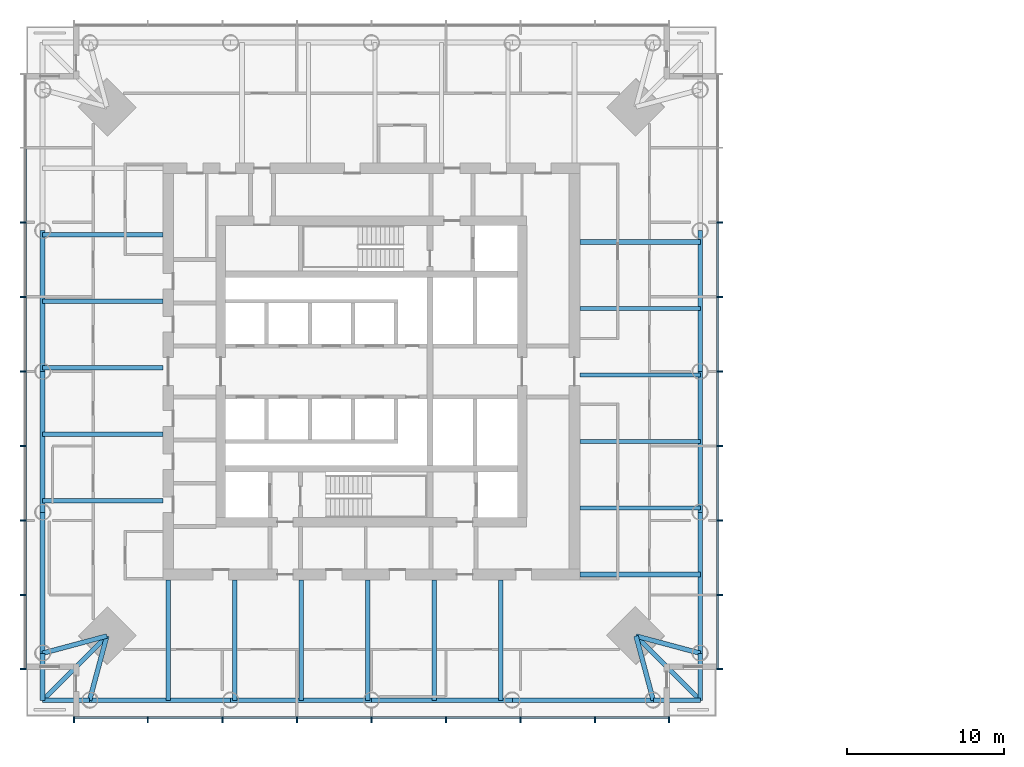
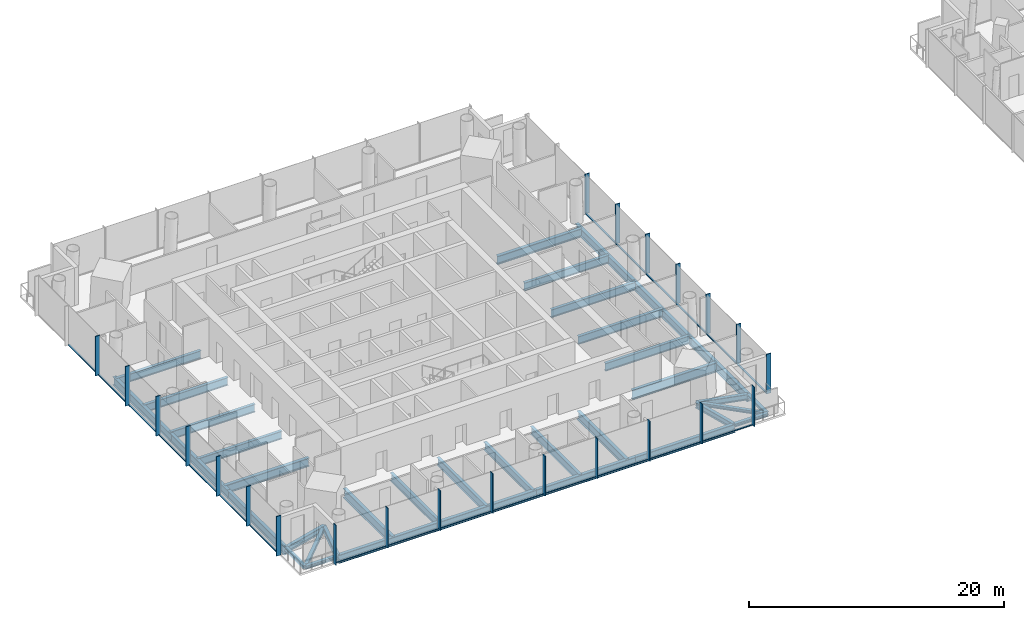
# One storey, part 2 of 19: 44 members, 37 beams, 3 elements without a shape of their own.
"""IFC4 building model written with IfcOpenShell, lengths in metres."""

from ifc_helpers import new_model, si_unit, direction, frame, origin, origin_2d, place, context, subcontext, project, spatial, rectangle, i_section, extrude, material, material_profile, profile_set, type_object, element, aggregate, save


model = new_model("IFC4")

# Units and contexts
model_context = context("Model", 3, precision=1e-05, world=origin(), true_north=direction((0.0, 1.0)))
body_context = subcontext(model_context, "Body", "Model", "MODEL_VIEW")
ifc_project = project(units=[si_unit("LENGTHUNIT", "METRE"), si_unit("AREAUNIT", "SQUARE_METRE"), si_unit("VOLUMEUNIT", "CUBIC_METRE"), si_unit("PLANEANGLEUNIT", "RADIAN"), si_unit("MASSUNIT", "GRAM", prefix="KILO")], contexts=[model_context])

# Site, building, storey
site_placement = place(None, origin())
site = spatial("IfcSite", under=ifc_project, at=site_placement, CompositionType="ELEMENT")
building_placement = place(site_placement, origin())
building = spatial("IfcBuilding", under=site, at=building_placement, Name="Ostroluk Exchange", CompositionType="ELEMENT")
storey_placement = place(building_placement, frame((0.0, 0.0, 116.0)))
storey = spatial("IfcBuildingStorey", under=building, at=storey_placement, Name="L29", CompositionType="ELEMENT", Elevation=116.0)

# Beams
ifc_material_1 = material(Name="Steel S355", Category="steel")
ifc_material_profile_1 = material_profile(ifc_material_1, i_section(OverallWidth=0.300048828125, OverallDepth=0.300048828125, WebThickness=0.010986328125, FlangeThickness=0.01904296875, FilletRadius=0.027099609375, at=origin_2d()), Name="HEB 300")
ifc_profile_set_1 = profile_set([ifc_material_profile_1], Name="Steel S355")
beam_type_1 = type_object("IfcBeamType", Name="Balcony beam HEB 300", PredefinedType="BEAM", material=ifc_profile_set_1)
for number, where, z_axis, x_axis, name in (
    (1, (24.03564453125, 28.03564453125, -0.330078125), (0.0, -1.0, 0.0), (1.0, 0.0, 0.0), "T1 west balcony beam a"),
    (2, (27.03564453125, 25.03564453125, -0.330078125), (-1.0, 0.0, 0.0), (0.0, -1.0, 0.0), "T1 west balcony beam b"),
):
    element("IfcBeam", number, at=place(storey_placement, frame(where, z_axis=z_axis, x_axis=x_axis)), inside=storey, type_object=beam_type_1, Name=name, PredefinedType="BEAM", context=body_context, shape_type="SweptSolid", body=[
        extrude(i_section(OverallWidth=0.300048828125, OverallDepth=0.300048828125, WebThickness=0.010986328125, FlangeThickness=0.01904296875, FilletRadius=0.027099609375, at=origin_2d()), origin(), (0.0, 0.0, 1.0), 3.0),
    ])
beam_1_placement = place(storey_placement, frame((28.1357421875, 29.1357421875, -0.330078125), z_axis=(-0.707106781187, -0.707106781187, 0.0), x_axis=(0.707106781187, -0.707106781187, 0.0)))
element("IfcBeam", 3, at=beam_1_placement, inside=storey, type_object=beam_type_1, Name="T1 west balcony beam c", PredefinedType="BEAM", context=body_context, shape_type="SweptSolid", body=[
    extrude(i_section(OverallWidth=0.300048828125, OverallDepth=0.300048828125, WebThickness=0.010986328125, FlangeThickness=0.01904296875, FilletRadius=0.027099609375, at=origin_2d()), origin(), (0.0, 0.0, 1.0), 5.79833984375),
])
for number, where, z_axis, x_axis, name in (
    (4, (62.96435546875, 25.03564453125, -0.330078125), (1.0, 0.0, 0.0), (0.0, 1.0, 0.0), "T1 south balcony beam a"),
    (5, (65.96435546875, 28.03564453125, -0.330078125), (0.0, -1.0, 0.0), (1.0, 0.0, 0.0), "T1 south balcony beam b"),
):
    element("IfcBeam", number, at=place(storey_placement, frame(where, z_axis=z_axis, x_axis=x_axis)), inside=storey, type_object=beam_type_1, Name=name, PredefinedType="BEAM", context=body_context, shape_type="SweptSolid", body=[
        extrude(i_section(OverallWidth=0.300048828125, OverallDepth=0.300048828125, WebThickness=0.010986328125, FlangeThickness=0.01904296875, FilletRadius=0.027099609375, at=origin_2d()), origin(), (0.0, 0.0, 1.0), 3.0),
    ])
beam_2_placement = place(storey_placement, frame((61.8642578125, 29.1357421875, -0.330078125), z_axis=(0.707106781187, -0.707106781187, 0.0), x_axis=(0.707106781187, 0.707106781187, 0.0)))
element("IfcBeam", 6, at=beam_2_placement, inside=storey, type_object=beam_type_1, Name="T1 south balcony beam c", PredefinedType="BEAM", context=body_context, shape_type="SweptSolid", body=[
    extrude(i_section(OverallWidth=0.300048828125, OverallDepth=0.300048828125, WebThickness=0.010986328125, FlangeThickness=0.01904296875, FilletRadius=0.027099609375, at=origin_2d()), origin(), (0.0, 0.0, 1.0), 5.79833984375),
])
ifc_material_2 = material(Name="Steel S355", Category="steel")
ifc_material_profile_2 = material_profile(ifc_material_2, i_section(OverallWidth=0.300048828125, OverallDepth=0.550048828125, WebThickness=0.014892578125, FlangeThickness=0.029052734375, FilletRadius=0.027099609375, at=origin_2d()), Name="HEB 550")
ifc_profile_set_2 = profile_set([ifc_material_profile_2], Name="Steel S355")
beam_type_2 = type_object("IfcBeamType", Name="Corner edge beam HEB 550", PredefinedType="SPANDREL", material=ifc_profile_set_2)
for number, where, z_axis, x_axis, name in (
    (7, (28.1357421875, 29.1357421875, -0.455078125), (-0.965838624319, -0.259144268261, 0.0), (0.259144268261, -0.965838624319, 0.0), "T1 west corner edge beam a"),
    (8, (28.1357421875, 29.1357421875, -0.455078125), (-0.259144268261, -0.965838624319, 0.0), (0.965838624319, -0.259144268261, 0.0), "T1 west corner edge beam b"),
    (9, (61.8642578125, 29.1357421875, -0.455078125), (0.259144268261, -0.965838624319, 0.0), (0.965838624319, 0.259144268261, 0.0), "T1 south corner edge beam a"),
    (10, (61.8642578125, 29.1357421875, -0.455078125), (0.965838624319, -0.259144268261, 0.0), (0.259144268261, 0.965838624319, 0.0), "T1 south corner edge beam b"),
):
    element("IfcBeam", number, at=place(storey_placement, frame(where, z_axis=z_axis, x_axis=x_axis)), inside=storey, type_object=beam_type_2, Name=name, PredefinedType="SPANDREL", context=body_context, shape_type="SweptSolid", body=[
        extrude(i_section(OverallWidth=0.300048828125, OverallDepth=0.550048828125, WebThickness=0.014892578125, FlangeThickness=0.029052734375, FilletRadius=0.027099609375, at=origin_2d()), origin(), (0.0, 0.0, 1.0), 4.2451171875),
    ])
ifc_material_3 = material(Name="Steel S355", Category="steel")
ifc_material_profile_3 = material_profile(ifc_material_3, i_section(OverallWidth=0.302978515625, OverallDepth=0.81396484375, WebThickness=0.02099609375, FlangeThickness=0.0400390625, FilletRadius=0.030029296875, at=origin_2d()), Name="HEM 800")
ifc_profile_set_3 = profile_set([ifc_material_profile_3], Name="Steel S355")
beam_type_3 = type_object("IfcBeamType", Name="Floor beam HEM 800", PredefinedType="BEAM", material=ifc_profile_set_3)
for number, where, z_axis, x_axis, name in (
    (11, (58.300048828125, 54.246337890625, -0.5869140625), (1.0, 0.0, 0.0), (0.0, 1.0, 0.0), "T1 east floor beam 5"),
    (12, (31.699951171875, 37.753662109375, -0.5869140625), (-1.0, 0.0, 0.0), (0.0, -1.0, 0.0), "T1 west floor beam 5"),
    (13, (53.246337890625, 32.699951171875, -0.5869140625), (0.0, -1.0, 0.0), (1.0, 0.0, 0.0), "T1 south floor beam 5"),
):
    element("IfcBeam", number, at=place(storey_placement, frame(where, z_axis=z_axis, x_axis=x_axis)), inside=storey, type_object=beam_type_3, Name=name, PredefinedType="BEAM", context=body_context, shape_type="SweptSolid", body=[
        extrude(i_section(OverallWidth=0.302978515625, OverallDepth=0.81396484375, WebThickness=0.02099609375, FlangeThickness=0.0400390625, FilletRadius=0.030029296875, at=origin_2d()), origin(), (0.0, 0.0, 1.0), 7.664306640625),
    ])
ifc_material_4 = material(Name="Steel S355", Category="steel")
ifc_material_profile_4 = material_profile(ifc_material_4, i_section(OverallWidth=0.26708984375, OverallDepth=0.761962890625, WebThickness=0.014404296875, FlangeThickness=0.021484375, FilletRadius=0.01708984375, at=origin_2d()), Name="IPE 750x173")
ifc_profile_set_4 = profile_set([ifc_material_profile_4], Name="Steel S355")
beam_type_4 = type_object("IfcBeamType", Name="Floor beam IPE 750x173", PredefinedType="BEAM", material=ifc_profile_set_4)
for number, where, z_axis, x_axis, name in (
    (14, (58.300048828125, 37.289306640625, -0.56103515625), (1.0, 0.0, 0.0), (0.0, 1.0, 0.0), "T1 east floor beam 1"),
    (15, (58.300048828125, 41.528564453125, -0.56103515625), (1.0, 0.0, 0.0), (0.0, 1.0, 0.0), "T1 east floor beam 2"),
    (16, (58.300048828125, 45.767822265625, -0.56103515625), (1.0, 0.0, 0.0), (0.0, 1.0, 0.0), "T1 east floor beam 3"),
    (17, (58.300048828125, 50.007080078125, -0.56103515625), (1.0, 0.0, 0.0), (0.0, 1.0, 0.0), "T1 east floor beam 4"),
    (18, (31.699951171875, 54.710693359375, -0.56103515625), (-1.0, 0.0, 0.0), (0.0, -1.0, 0.0), "T1 west floor beam 1"),
    (19, (31.699951171875, 50.471435546875, -0.56103515625), (-1.0, 0.0, 0.0), (0.0, -1.0, 0.0), "T1 west floor beam 2"),
    (20, (31.699951171875, 46.232177734375, -0.56103515625), (-1.0, 0.0, 0.0), (0.0, -1.0, 0.0), "T1 west floor beam 3"),
    (21, (31.699951171875, 41.992919921875, -0.56103515625), (-1.0, 0.0, 0.0), (0.0, -1.0, 0.0), "T1 west floor beam 4"),
    (22, (36.289306640625, 32.699951171875, -0.56103515625), (0.0, -1.0, 0.0), (1.0, 0.0, 0.0), "T1 south floor beam 1"),
    (23, (40.528564453125, 32.699951171875, -0.56103515625), (0.0, -1.0, 0.0), (1.0, 0.0, 0.0), "T1 south floor beam 2"),
    (24, (44.767822265625, 32.699951171875, -0.56103515625), (0.0, -1.0, 0.0), (1.0, 0.0, 0.0), "T1 south floor beam 3"),
    (25, (49.007080078125, 32.699951171875, -0.56103515625), (0.0, -1.0, 0.0), (1.0, 0.0, 0.0), "T1 south floor beam 4"),
):
    element("IfcBeam", number, at=place(storey_placement, frame(where, z_axis=z_axis, x_axis=x_axis)), inside=storey, type_object=beam_type_4, Name=name, PredefinedType="BEAM", context=body_context, shape_type="SweptSolid", body=[
        extrude(i_section(OverallWidth=0.26708984375, OverallDepth=0.761962890625, WebThickness=0.014404296875, FlangeThickness=0.021484375, FilletRadius=0.01708984375, at=origin_2d()), origin(), (0.0, 0.0, 1.0), 7.664306640625),
    ])
ifc_material_5 = material(Name="Steel S355", Category="steel")
ifc_material_profile_5 = material_profile(ifc_material_5, i_section(OverallWidth=0.300048828125, OverallDepth=0.89990234375, WebThickness=0.0185546875, FlangeThickness=0.034912109375, FilletRadius=0.030029296875, at=origin_2d()), Name="HEB 900")
ifc_profile_set_5 = profile_set([ifc_material_profile_5], Name="Steel S355")
beam_type_5 = type_object("IfcBeamType", Name="Girder HEB 900", PredefinedType="BEAM", material=ifc_profile_set_5)
for number, where, z_axis, x_axis, name in (
    (26, (32.050048828125, 32.699951171875, -0.6298828125), (0.0, -1.0, 0.0), (1.0, 0.0, 0.0), "T1 west girder"),
    (27, (58.300048828125, 33.050048828125, -0.6298828125), (1.0, 0.0, 0.0), (0.0, 1.0, 0.0), "T1 south girder"),
):
    element("IfcBeam", number, at=place(storey_placement, frame(where, z_axis=z_axis, x_axis=x_axis)), inside=storey, type_object=beam_type_5, Name=name, PredefinedType="BEAM", context=body_context, shape_type="SweptSolid", body=[
        extrude(i_section(OverallWidth=0.300048828125, OverallDepth=0.89990234375, WebThickness=0.0185546875, FlangeThickness=0.034912109375, FilletRadius=0.030029296875, at=origin_2d()), origin(), (0.0, 0.0, 1.0), 7.664306640625),
    ])
ifc_material_6 = material(Name="Steel S355", Category="steel")
ifc_material_profile_6 = material_profile(ifc_material_6, i_section(OverallWidth=0.300048828125, OverallDepth=0.800048828125, WebThickness=0.017578125, FlangeThickness=0.032958984375, FilletRadius=0.030029296875, at=origin_2d()), Name="HEB 800")
ifc_profile_set_6 = profile_set([ifc_material_profile_6], Name="Steel S355")
beam_type_6 = type_object("IfcBeamType", Name="Moment-connected edge beam HEB 800", PredefinedType="SPANDREL", material=ifc_profile_set_6)
for number, where, z_axis, x_axis, name in (
    (28, (65.96435546875, 28.03564453125, -0.580078125), (0.0, 1.0, 0.0), (-1.0, 0.0, 0.0), "T1 east edge beam 1"),
    (29, (65.96435546875, 37.017822265625, -0.580078125), (0.0, 1.0, 0.0), (-1.0, 0.0, 0.0), "T1 east edge beam 2"),
    (30, (65.96435546875, 46.0, -0.580078125), (0.0, 1.0, 0.0), (-1.0, 0.0, 0.0), "T1 east edge beam 3"),
    (31, (24.03564453125, 54.982177734375, -0.580078125), (0.0, -1.0, 0.0), (1.0, 0.0, 0.0), "T1 west edge beam 2"),
    (32, (24.03564453125, 46.0, -0.580078125), (0.0, -1.0, 0.0), (1.0, 0.0, 0.0), "T1 west edge beam 3"),
    (33, (24.03564453125, 37.017822265625, -0.580078125), (0.0, -1.0, 0.0), (1.0, 0.0, 0.0), "T1 west edge beam 4"),
    (34, (27.03564453125, 25.03564453125, -0.580078125), (1.0, 0.0, 0.0), (0.0, 1.0, 0.0), "T1 south edge beam 1"),
    (35, (36.017822265625, 25.03564453125, -0.580078125), (1.0, 0.0, 0.0), (0.0, 1.0, 0.0), "T1 south edge beam 2"),
    (36, (45.0, 25.03564453125, -0.580078125), (1.0, 0.0, 0.0), (0.0, 1.0, 0.0), "T1 south edge beam 3"),
    (37, (53.982177734375, 25.03564453125, -0.580078125), (1.0, 0.0, 0.0), (0.0, 1.0, 0.0), "T1 south edge beam 4"),
):
    element("IfcBeam", number, at=place(storey_placement, frame(where, z_axis=z_axis, x_axis=x_axis)), inside=storey, type_object=beam_type_6, Name=name, PredefinedType="SPANDREL", context=body_context, shape_type="SweptSolid", body=[
        extrude(i_section(OverallWidth=0.300048828125, OverallDepth=0.800048828125, WebThickness=0.017578125, FlangeThickness=0.032958984375, FilletRadius=0.030029296875, at=origin_2d()), origin(), (0.0, 0.0, 1.0), 8.982177734375),
    ])

# Curtain wall, members
ifc_material_7 = material(Name="Laminated clear glass", Category="glass")
curtain_wall_type = type_object("IfcCurtainWallType", Name="Office tower facade", PredefinedType="USERDEFINED", material=ifc_material_7)
curtain_wall_1_placement = place(storey_placement, origin())
curtain_wall_1 = element("IfcCurtainWall", 38, at=curtain_wall_1_placement, inside=storey, type_object=curtain_wall_type, Name="Office tower south facade L29", ObjectType="UNITISED CURTAIN WALL", PredefinedType="USERDEFINED")
ifc_material_8 = material(Name="Aluminium mullion", Category="aluminium")
ifc_material_profile_7 = material_profile(ifc_material_8, rectangle(XDim=0.14990234375, YDim=0.080078125, at=origin_2d()), Name="Sill transom 80 x 150")
ifc_profile_set_7 = profile_set([ifc_material_profile_7], Name="Aluminium mullion")
member_type_1 = type_object("IfcMemberType", Name="Sill transom 80 x 150", PredefinedType="USERDEFINED", material=ifc_profile_set_7)
member_1_placement = place(storey_placement, frame((26.080078125, 23.925048828125, 0.0400390625), z_axis=(1.0, 0.0, 0.0), x_axis=(0.0, 1.0, 0.0)))
member_1 = element("IfcMember", 39, at=member_1_placement, type_object=member_type_1, Name="CW-O1 transom 1.1", ObjectType="TRANSOM", PredefinedType="USERDEFINED", context=body_context, shape_type="SweptSolid", body=[
    extrude(rectangle(XDim=0.14990234375, YDim=0.080078125, at=origin_2d()), origin(), (0.0, 0.0, 1.0), 4.6298828125),
])
member_2_placement = place(storey_placement, frame((30.7900390625, 23.925048828125, 0.0400390625), z_axis=(1.0, 0.0, 0.0), x_axis=(0.0, 1.0, 0.0)))
member_2 = element("IfcMember", 40, at=member_2_placement, type_object=member_type_1, Name="CW-O1 transom 2.1", ObjectType="TRANSOM", PredefinedType="USERDEFINED", context=body_context, shape_type="SweptSolid", body=[
    extrude(rectangle(XDim=0.14990234375, YDim=0.080078125, at=origin_2d()), origin(), (0.0, 0.0, 1.0), 4.669921875),
])
member_3_placement = place(storey_placement, frame((35.5400390625, 23.925048828125, 0.0400390625), z_axis=(1.0, 0.0, 0.0), x_axis=(0.0, 1.0, 0.0)))
member_3 = element("IfcMember", 41, at=member_3_placement, type_object=member_type_1, Name="CW-O1 transom 3.1", ObjectType="TRANSOM", PredefinedType="USERDEFINED", context=body_context, shape_type="SweptSolid", body=[
    extrude(rectangle(XDim=0.14990234375, YDim=0.080078125, at=origin_2d()), origin(), (0.0, 0.0, 1.0), 4.669921875),
])
member_4_placement = place(storey_placement, frame((40.2900390625, 23.925048828125, 0.0400390625), z_axis=(1.0, 0.0, 0.0), x_axis=(0.0, 1.0, 0.0)))
member_4 = element("IfcMember", 42, at=member_4_placement, type_object=member_type_1, Name="CW-O1 transom 4.1", ObjectType="TRANSOM", PredefinedType="USERDEFINED", context=body_context, shape_type="SweptSolid", body=[
    extrude(rectangle(XDim=0.14990234375, YDim=0.080078125, at=origin_2d()), origin(), (0.0, 0.0, 1.0), 4.669921875),
])
member_5_placement = place(storey_placement, frame((45.0400390625, 23.925048828125, 0.0400390625), z_axis=(1.0, 0.0, 0.0), x_axis=(0.0, 1.0, 0.0)))
member_5 = element("IfcMember", 43, at=member_5_placement, type_object=member_type_1, Name="CW-O1 transom 5.1", ObjectType="TRANSOM", PredefinedType="USERDEFINED", context=body_context, shape_type="SweptSolid", body=[
    extrude(rectangle(XDim=0.14990234375, YDim=0.080078125, at=origin_2d()), origin(), (0.0, 0.0, 1.0), 4.669921875),
])
member_6_placement = place(storey_placement, frame((49.7900390625, 23.925048828125, 0.0400390625), z_axis=(1.0, 0.0, 0.0), x_axis=(0.0, 1.0, 0.0)))
member_6 = element("IfcMember", 44, at=member_6_placement, type_object=member_type_1, Name="CW-O1 transom 6.1", ObjectType="TRANSOM", PredefinedType="USERDEFINED", context=body_context, shape_type="SweptSolid", body=[
    extrude(rectangle(XDim=0.14990234375, YDim=0.080078125, at=origin_2d()), origin(), (0.0, 0.0, 1.0), 4.669921875),
])
member_7_placement = place(storey_placement, frame((54.5400390625, 23.925048828125, 0.0400390625), z_axis=(1.0, 0.0, 0.0), x_axis=(0.0, 1.0, 0.0)))
member_7 = element("IfcMember", 45, at=member_7_placement, type_object=member_type_1, Name="CW-O1 transom 7.1", ObjectType="TRANSOM", PredefinedType="USERDEFINED", context=body_context, shape_type="SweptSolid", body=[
    extrude(rectangle(XDim=0.14990234375, YDim=0.080078125, at=origin_2d()), origin(), (0.0, 0.0, 1.0), 4.669921875),
])
member_8_placement = place(storey_placement, frame((59.2900390625, 23.925048828125, 0.0400390625), z_axis=(1.0, 0.0, 0.0), x_axis=(0.0, 1.0, 0.0)))
member_8 = element("IfcMember", 46, at=member_8_placement, type_object=member_type_1, Name="CW-O1 transom 8.1", ObjectType="TRANSOM", PredefinedType="USERDEFINED", context=body_context, shape_type="SweptSolid", body=[
    extrude(rectangle(XDim=0.14990234375, YDim=0.080078125, at=origin_2d()), origin(), (0.0, 0.0, 1.0), 4.6298828125),
])

curtain_wall_2_placement = place(storey_placement, origin())
curtain_wall_2 = element("IfcCurtainWall", 47, at=curtain_wall_2_placement, inside=storey, type_object=curtain_wall_type, Name="Office tower east facade L29", ObjectType="UNITISED CURTAIN WALL", PredefinedType="USERDEFINED")
member_9_placement = place(storey_placement, frame((67.074951171875, 27.080078125, 0.0400390625), z_axis=(0.0, 1.0, 0.0), x_axis=(-1.0, 0.0, 0.0)))
member_9 = element("IfcMember", 48, at=member_9_placement, type_object=member_type_1, Name="CW-O1 transom 1.1", ObjectType="TRANSOM", PredefinedType="USERDEFINED", context=body_context, shape_type="SweptSolid", body=[
    extrude(rectangle(XDim=0.14990234375, YDim=0.080078125, at=origin_2d()), origin(), (0.0, 0.0, 1.0), 4.6298828125),
])
member_10_placement = place(storey_placement, frame((67.074951171875, 31.7900390625, 0.0400390625), z_axis=(0.0, 1.0, 0.0), x_axis=(-1.0, 0.0, 0.0)))
member_10 = element("IfcMember", 49, at=member_10_placement, type_object=member_type_1, Name="CW-O1 transom 2.1", ObjectType="TRANSOM", PredefinedType="USERDEFINED", context=body_context, shape_type="SweptSolid", body=[
    extrude(rectangle(XDim=0.14990234375, YDim=0.080078125, at=origin_2d()), origin(), (0.0, 0.0, 1.0), 4.669921875),
])
member_11_placement = place(storey_placement, frame((67.074951171875, 36.5400390625, 0.0400390625), z_axis=(0.0, 1.0, 0.0), x_axis=(-1.0, 0.0, 0.0)))
member_11 = element("IfcMember", 50, at=member_11_placement, type_object=member_type_1, Name="CW-O1 transom 3.1", ObjectType="TRANSOM", PredefinedType="USERDEFINED", context=body_context, shape_type="SweptSolid", body=[
    extrude(rectangle(XDim=0.14990234375, YDim=0.080078125, at=origin_2d()), origin(), (0.0, 0.0, 1.0), 4.669921875),
])
member_12_placement = place(storey_placement, frame((67.074951171875, 41.2900390625, 0.0400390625), z_axis=(0.0, 1.0, 0.0), x_axis=(-1.0, 0.0, 0.0)))
member_12 = element("IfcMember", 51, at=member_12_placement, type_object=member_type_1, Name="CW-O1 transom 4.1", ObjectType="TRANSOM", PredefinedType="USERDEFINED", context=body_context, shape_type="SweptSolid", body=[
    extrude(rectangle(XDim=0.14990234375, YDim=0.080078125, at=origin_2d()), origin(), (0.0, 0.0, 1.0), 4.669921875),
])
member_13_placement = place(storey_placement, frame((67.074951171875, 46.0400390625, 0.0400390625), z_axis=(0.0, 1.0, 0.0), x_axis=(-1.0, 0.0, 0.0)))
member_13 = element("IfcMember", 52, at=member_13_placement, type_object=member_type_1, Name="CW-O1 transom 5.1", ObjectType="TRANSOM", PredefinedType="USERDEFINED", context=body_context, shape_type="SweptSolid", body=[
    extrude(rectangle(XDim=0.14990234375, YDim=0.080078125, at=origin_2d()), origin(), (0.0, 0.0, 1.0), 4.669921875),
])
member_14_placement = place(storey_placement, frame((67.074951171875, 50.7900390625, 0.0400390625), z_axis=(0.0, 1.0, 0.0), x_axis=(-1.0, 0.0, 0.0)))
member_14 = element("IfcMember", 53, at=member_14_placement, type_object=member_type_1, Name="CW-O1 transom 6.1", ObjectType="TRANSOM", PredefinedType="USERDEFINED", context=body_context, shape_type="SweptSolid", body=[
    extrude(rectangle(XDim=0.14990234375, YDim=0.080078125, at=origin_2d()), origin(), (0.0, 0.0, 1.0), 4.669921875),
])

curtain_wall_3_placement = place(storey_placement, origin())
curtain_wall_3 = element("IfcCurtainWall", 54, at=curtain_wall_3_placement, inside=storey, type_object=curtain_wall_type, Name="Office tower west facade L29", ObjectType="UNITISED CURTAIN WALL", PredefinedType="USERDEFINED")
member_15_placement = place(storey_placement, frame((22.925048828125, 60.2099609375, 0.0400390625), z_axis=(0.0, -1.0, 0.0), x_axis=(1.0, 0.0, 0.0)))
member_15 = element("IfcMember", 55, at=member_15_placement, type_object=member_type_1, Name="CW-O1 transom 2.1", ObjectType="TRANSOM", PredefinedType="USERDEFINED", context=body_context, shape_type="SweptSolid", body=[
    extrude(rectangle(XDim=0.14990234375, YDim=0.080078125, at=origin_2d()), origin(), (0.0, 0.0, 1.0), 4.669921875),
])
member_16_placement = place(storey_placement, frame((22.925048828125, 55.4599609375, 0.0400390625), z_axis=(0.0, -1.0, 0.0), x_axis=(1.0, 0.0, 0.0)))
member_16 = element("IfcMember", 56, at=member_16_placement, type_object=member_type_1, Name="CW-O1 transom 3.1", ObjectType="TRANSOM", PredefinedType="USERDEFINED", context=body_context, shape_type="SweptSolid", body=[
    extrude(rectangle(XDim=0.14990234375, YDim=0.080078125, at=origin_2d()), origin(), (0.0, 0.0, 1.0), 4.669921875),
])
member_17_placement = place(storey_placement, frame((22.925048828125, 50.7099609375, 0.0400390625), z_axis=(0.0, -1.0, 0.0), x_axis=(1.0, 0.0, 0.0)))
member_17 = element("IfcMember", 57, at=member_17_placement, type_object=member_type_1, Name="CW-O1 transom 4.1", ObjectType="TRANSOM", PredefinedType="USERDEFINED", context=body_context, shape_type="SweptSolid", body=[
    extrude(rectangle(XDim=0.14990234375, YDim=0.080078125, at=origin_2d()), origin(), (0.0, 0.0, 1.0), 4.669921875),
])
member_18_placement = place(storey_placement, frame((22.925048828125, 45.9599609375, 0.0400390625), z_axis=(0.0, -1.0, 0.0), x_axis=(1.0, 0.0, 0.0)))
member_18 = element("IfcMember", 58, at=member_18_placement, type_object=member_type_1, Name="CW-O1 transom 5.1", ObjectType="TRANSOM", PredefinedType="USERDEFINED", context=body_context, shape_type="SweptSolid", body=[
    extrude(rectangle(XDim=0.14990234375, YDim=0.080078125, at=origin_2d()), origin(), (0.0, 0.0, 1.0), 4.669921875),
])
member_19_placement = place(storey_placement, frame((22.925048828125, 41.2099609375, 0.0400390625), z_axis=(0.0, -1.0, 0.0), x_axis=(1.0, 0.0, 0.0)))
member_19 = element("IfcMember", 59, at=member_19_placement, type_object=member_type_1, Name="CW-O1 transom 6.1", ObjectType="TRANSOM", PredefinedType="USERDEFINED", context=body_context, shape_type="SweptSolid", body=[
    extrude(rectangle(XDim=0.14990234375, YDim=0.080078125, at=origin_2d()), origin(), (0.0, 0.0, 1.0), 4.669921875),
])
member_20_placement = place(storey_placement, frame((22.925048828125, 36.4599609375, 0.0400390625), z_axis=(0.0, -1.0, 0.0), x_axis=(1.0, 0.0, 0.0)))
member_20 = element("IfcMember", 60, at=member_20_placement, type_object=member_type_1, Name="CW-O1 transom 7.1", ObjectType="TRANSOM", PredefinedType="USERDEFINED", context=body_context, shape_type="SweptSolid", body=[
    extrude(rectangle(XDim=0.14990234375, YDim=0.080078125, at=origin_2d()), origin(), (0.0, 0.0, 1.0), 4.669921875),
])
member_21_placement = place(storey_placement, frame((22.925048828125, 31.7099609375, 0.0400390625), z_axis=(0.0, -1.0, 0.0), x_axis=(1.0, 0.0, 0.0)))
member_21 = element("IfcMember", 61, at=member_21_placement, type_object=member_type_1, Name="CW-O1 transom 8.1", ObjectType="TRANSOM", PredefinedType="USERDEFINED", context=body_context, shape_type="SweptSolid", body=[
    extrude(rectangle(XDim=0.14990234375, YDim=0.080078125, at=origin_2d()), origin(), (0.0, 0.0, 1.0), 4.6298828125),
])

# Member
ifc_material_9 = material(Name="Aluminium mullion with limestone facing", Category="masonry")
ifc_material_profile_8 = material_profile(ifc_material_9, rectangle(XDim=0.39990234375, YDim=0.080078125, at=origin_2d()), Name="Tracery mullion 80 x 400")
ifc_profile_set_8 = profile_set([ifc_material_profile_8], Name="Aluminium mullion with limestone facing")
member_type_2 = type_object("IfcMemberType", Name="Tracery mullion 80 x 400", PredefinedType="MULLION", material=ifc_profile_set_8)
member_22_placement = place(storey_placement, frame((26.0400390625, 23.800048828125, 0.0), z_axis=(0.0, 0.0, 1.0), x_axis=(0.0, 1.0, 0.0)))
member_22 = element("IfcMember", 62, at=member_22_placement, type_object=member_type_2, Name="CW-O1 mullion 1", PredefinedType="MULLION", context=body_context, shape_type="SweptSolid", body=[
    extrude(rectangle(XDim=0.39990234375, YDim=0.080078125, at=origin_2d()), origin(), (0.0, 0.0, 1.0), 3.800048828125),
])

member_23_placement = place(storey_placement, frame((30.75, 23.800048828125, 0.0), z_axis=(0.0, 0.0, 1.0), x_axis=(0.0, 1.0, 0.0)))
member_23 = element("IfcMember", 63, at=member_23_placement, type_object=member_type_2, Name="CW-O1 mullion 2", PredefinedType="MULLION", context=body_context, shape_type="SweptSolid", body=[
    extrude(rectangle(XDim=0.39990234375, YDim=0.080078125, at=origin_2d()), origin(), (0.0, 0.0, 1.0), 3.800048828125),
])

member_24_placement = place(storey_placement, frame((35.5, 23.800048828125, 0.0), z_axis=(0.0, 0.0, 1.0), x_axis=(0.0, 1.0, 0.0)))
member_24 = element("IfcMember", 64, at=member_24_placement, type_object=member_type_2, Name="CW-O1 mullion 3", PredefinedType="MULLION", context=body_context, shape_type="SweptSolid", body=[
    extrude(rectangle(XDim=0.39990234375, YDim=0.080078125, at=origin_2d()), origin(), (0.0, 0.0, 1.0), 3.800048828125),
])

member_25_placement = place(storey_placement, frame((40.25, 23.800048828125, 0.0), z_axis=(0.0, 0.0, 1.0), x_axis=(0.0, 1.0, 0.0)))
member_25 = element("IfcMember", 65, at=member_25_placement, type_object=member_type_2, Name="CW-O1 mullion 4", PredefinedType="MULLION", context=body_context, shape_type="SweptSolid", body=[
    extrude(rectangle(XDim=0.39990234375, YDim=0.080078125, at=origin_2d()), origin(), (0.0, 0.0, 1.0), 3.800048828125),
])

member_26_placement = place(storey_placement, frame((45.0, 23.800048828125, 0.0), z_axis=(0.0, 0.0, 1.0), x_axis=(0.0, 1.0, 0.0)))
member_26 = element("IfcMember", 66, at=member_26_placement, type_object=member_type_2, Name="CW-O1 mullion 5", PredefinedType="MULLION", context=body_context, shape_type="SweptSolid", body=[
    extrude(rectangle(XDim=0.39990234375, YDim=0.080078125, at=origin_2d()), origin(), (0.0, 0.0, 1.0), 3.800048828125),
])

member_27_placement = place(storey_placement, frame((49.75, 23.800048828125, 0.0), z_axis=(0.0, 0.0, 1.0), x_axis=(0.0, 1.0, 0.0)))
member_27 = element("IfcMember", 67, at=member_27_placement, type_object=member_type_2, Name="CW-O1 mullion 6", PredefinedType="MULLION", context=body_context, shape_type="SweptSolid", body=[
    extrude(rectangle(XDim=0.39990234375, YDim=0.080078125, at=origin_2d()), origin(), (0.0, 0.0, 1.0), 3.800048828125),
])

member_28_placement = place(storey_placement, frame((54.5, 23.800048828125, 0.0), z_axis=(0.0, 0.0, 1.0), x_axis=(0.0, 1.0, 0.0)))
member_28 = element("IfcMember", 68, at=member_28_placement, type_object=member_type_2, Name="CW-O1 mullion 7", PredefinedType="MULLION", context=body_context, shape_type="SweptSolid", body=[
    extrude(rectangle(XDim=0.39990234375, YDim=0.080078125, at=origin_2d()), origin(), (0.0, 0.0, 1.0), 3.800048828125),
])

member_29_placement = place(storey_placement, frame((59.25, 23.800048828125, 0.0), z_axis=(0.0, 0.0, 1.0), x_axis=(0.0, 1.0, 0.0)))
member_29 = element("IfcMember", 69, at=member_29_placement, type_object=member_type_2, Name="CW-O1 mullion 8", PredefinedType="MULLION", context=body_context, shape_type="SweptSolid", body=[
    extrude(rectangle(XDim=0.39990234375, YDim=0.080078125, at=origin_2d()), origin(), (0.0, 0.0, 1.0), 3.800048828125),
])

member_30_placement = place(storey_placement, frame((63.9599609375, 23.800048828125, 0.0), z_axis=(0.0, 0.0, 1.0), x_axis=(0.0, 1.0, 0.0)))
member_30 = element("IfcMember", 70, at=member_30_placement, type_object=member_type_2, Name="CW-O1 mullion 9", PredefinedType="MULLION", context=body_context, shape_type="SweptSolid", body=[
    extrude(rectangle(XDim=0.39990234375, YDim=0.080078125, at=origin_2d()), origin(), (0.0, 0.0, 1.0), 3.800048828125),
])

aggregate(curtain_wall_1, [member_22, member_23, member_24, member_25, member_26, member_27, member_28, member_29, member_30, member_1, member_2, member_3, member_4, member_5, member_6, member_7, member_8])

member_31_placement = place(storey_placement, frame((67.199951171875, 27.0400390625, 0.0), z_axis=(0.0, 0.0, 1.0), x_axis=(-1.0, 0.0, 0.0)))
member_31 = element("IfcMember", 71, at=member_31_placement, type_object=member_type_2, Name="CW-O1 mullion 1", PredefinedType="MULLION", context=body_context, shape_type="SweptSolid", body=[
    extrude(rectangle(XDim=0.39990234375, YDim=0.080078125, at=origin_2d()), origin(), (0.0, 0.0, 1.0), 3.800048828125),
])

member_32_placement = place(storey_placement, frame((67.199951171875, 31.75, 0.0), z_axis=(0.0, 0.0, 1.0), x_axis=(-1.0, 0.0, 0.0)))
member_32 = element("IfcMember", 72, at=member_32_placement, type_object=member_type_2, Name="CW-O1 mullion 2", PredefinedType="MULLION", context=body_context, shape_type="SweptSolid", body=[
    extrude(rectangle(XDim=0.39990234375, YDim=0.080078125, at=origin_2d()), origin(), (0.0, 0.0, 1.0), 3.800048828125),
])

member_33_placement = place(storey_placement, frame((67.199951171875, 36.5, 0.0), z_axis=(0.0, 0.0, 1.0), x_axis=(-1.0, 0.0, 0.0)))
member_33 = element("IfcMember", 73, at=member_33_placement, type_object=member_type_2, Name="CW-O1 mullion 3", PredefinedType="MULLION", context=body_context, shape_type="SweptSolid", body=[
    extrude(rectangle(XDim=0.39990234375, YDim=0.080078125, at=origin_2d()), origin(), (0.0, 0.0, 1.0), 3.800048828125),
])

member_34_placement = place(storey_placement, frame((67.199951171875, 41.25, 0.0), z_axis=(0.0, 0.0, 1.0), x_axis=(-1.0, 0.0, 0.0)))
member_34 = element("IfcMember", 74, at=member_34_placement, type_object=member_type_2, Name="CW-O1 mullion 4", PredefinedType="MULLION", context=body_context, shape_type="SweptSolid", body=[
    extrude(rectangle(XDim=0.39990234375, YDim=0.080078125, at=origin_2d()), origin(), (0.0, 0.0, 1.0), 3.800048828125),
])

member_35_placement = place(storey_placement, frame((67.199951171875, 46.0, 0.0), z_axis=(0.0, 0.0, 1.0), x_axis=(-1.0, 0.0, 0.0)))
member_35 = element("IfcMember", 75, at=member_35_placement, type_object=member_type_2, Name="CW-O1 mullion 5", PredefinedType="MULLION", context=body_context, shape_type="SweptSolid", body=[
    extrude(rectangle(XDim=0.39990234375, YDim=0.080078125, at=origin_2d()), origin(), (0.0, 0.0, 1.0), 3.800048828125),
])

member_36_placement = place(storey_placement, frame((67.199951171875, 50.75, 0.0), z_axis=(0.0, 0.0, 1.0), x_axis=(-1.0, 0.0, 0.0)))
member_36 = element("IfcMember", 76, at=member_36_placement, type_object=member_type_2, Name="CW-O1 mullion 6", PredefinedType="MULLION", context=body_context, shape_type="SweptSolid", body=[
    extrude(rectangle(XDim=0.39990234375, YDim=0.080078125, at=origin_2d()), origin(), (0.0, 0.0, 1.0), 3.800048828125),
])

member_37_placement = place(storey_placement, frame((67.199951171875, 55.5, 0.0), z_axis=(0.0, 0.0, 1.0), x_axis=(-1.0, 0.0, 0.0)))
member_37 = element("IfcMember", 77, at=member_37_placement, type_object=member_type_2, Name="CW-O1 mullion 7", PredefinedType="MULLION", context=body_context, shape_type="SweptSolid", body=[
    extrude(rectangle(XDim=0.39990234375, YDim=0.080078125, at=origin_2d()), origin(), (0.0, 0.0, 1.0), 3.800048828125),
])

aggregate(curtain_wall_2, [member_31, member_32, member_33, member_34, member_35, member_36, member_37, member_9, member_10, member_11, member_12, member_13, member_14])

member_38_placement = place(storey_placement, frame((22.800048828125, 55.5, 0.0), z_axis=(0.0, 0.0, 1.0), x_axis=(1.0, 0.0, 0.0)))
member_38 = element("IfcMember", 78, at=member_38_placement, type_object=member_type_2, Name="CW-O1 mullion 3", PredefinedType="MULLION", context=body_context, shape_type="SweptSolid", body=[
    extrude(rectangle(XDim=0.39990234375, YDim=0.080078125, at=origin_2d()), origin(), (0.0, 0.0, 1.0), 3.800048828125),
])

member_39_placement = place(storey_placement, frame((22.800048828125, 50.75, 0.0), z_axis=(0.0, 0.0, 1.0), x_axis=(1.0, 0.0, 0.0)))
member_39 = element("IfcMember", 79, at=member_39_placement, type_object=member_type_2, Name="CW-O1 mullion 4", PredefinedType="MULLION", context=body_context, shape_type="SweptSolid", body=[
    extrude(rectangle(XDim=0.39990234375, YDim=0.080078125, at=origin_2d()), origin(), (0.0, 0.0, 1.0), 3.800048828125),
])

member_40_placement = place(storey_placement, frame((22.800048828125, 46.0, 0.0), z_axis=(0.0, 0.0, 1.0), x_axis=(1.0, 0.0, 0.0)))
member_40 = element("IfcMember", 80, at=member_40_placement, type_object=member_type_2, Name="CW-O1 mullion 5", PredefinedType="MULLION", context=body_context, shape_type="SweptSolid", body=[
    extrude(rectangle(XDim=0.39990234375, YDim=0.080078125, at=origin_2d()), origin(), (0.0, 0.0, 1.0), 3.800048828125),
])

member_41_placement = place(storey_placement, frame((22.800048828125, 41.25, 0.0), z_axis=(0.0, 0.0, 1.0), x_axis=(1.0, 0.0, 0.0)))
member_41 = element("IfcMember", 81, at=member_41_placement, type_object=member_type_2, Name="CW-O1 mullion 6", PredefinedType="MULLION", context=body_context, shape_type="SweptSolid", body=[
    extrude(rectangle(XDim=0.39990234375, YDim=0.080078125, at=origin_2d()), origin(), (0.0, 0.0, 1.0), 3.800048828125),
])

member_42_placement = place(storey_placement, frame((22.800048828125, 36.5, 0.0), z_axis=(0.0, 0.0, 1.0), x_axis=(1.0, 0.0, 0.0)))
member_42 = element("IfcMember", 82, at=member_42_placement, type_object=member_type_2, Name="CW-O1 mullion 7", PredefinedType="MULLION", context=body_context, shape_type="SweptSolid", body=[
    extrude(rectangle(XDim=0.39990234375, YDim=0.080078125, at=origin_2d()), origin(), (0.0, 0.0, 1.0), 3.800048828125),
])

member_43_placement = place(storey_placement, frame((22.800048828125, 31.75, 0.0), z_axis=(0.0, 0.0, 1.0), x_axis=(1.0, 0.0, 0.0)))
member_43 = element("IfcMember", 83, at=member_43_placement, type_object=member_type_2, Name="CW-O1 mullion 8", PredefinedType="MULLION", context=body_context, shape_type="SweptSolid", body=[
    extrude(rectangle(XDim=0.39990234375, YDim=0.080078125, at=origin_2d()), origin(), (0.0, 0.0, 1.0), 3.800048828125),
])

member_44_placement = place(storey_placement, frame((22.800048828125, 27.0400390625, 0.0), z_axis=(0.0, 0.0, 1.0), x_axis=(1.0, 0.0, 0.0)))
member_44 = element("IfcMember", 84, at=member_44_placement, type_object=member_type_2, Name="CW-O1 mullion 9", PredefinedType="MULLION", context=body_context, shape_type="SweptSolid", body=[
    extrude(rectangle(XDim=0.39990234375, YDim=0.080078125, at=origin_2d()), origin(), (0.0, 0.0, 1.0), 3.800048828125),
])

aggregate(curtain_wall_3, [member_38, member_39, member_40, member_41, member_42, member_43, member_44, member_15, member_16, member_17, member_18, member_19, member_20, member_21])

save(model, "model.ifc")
